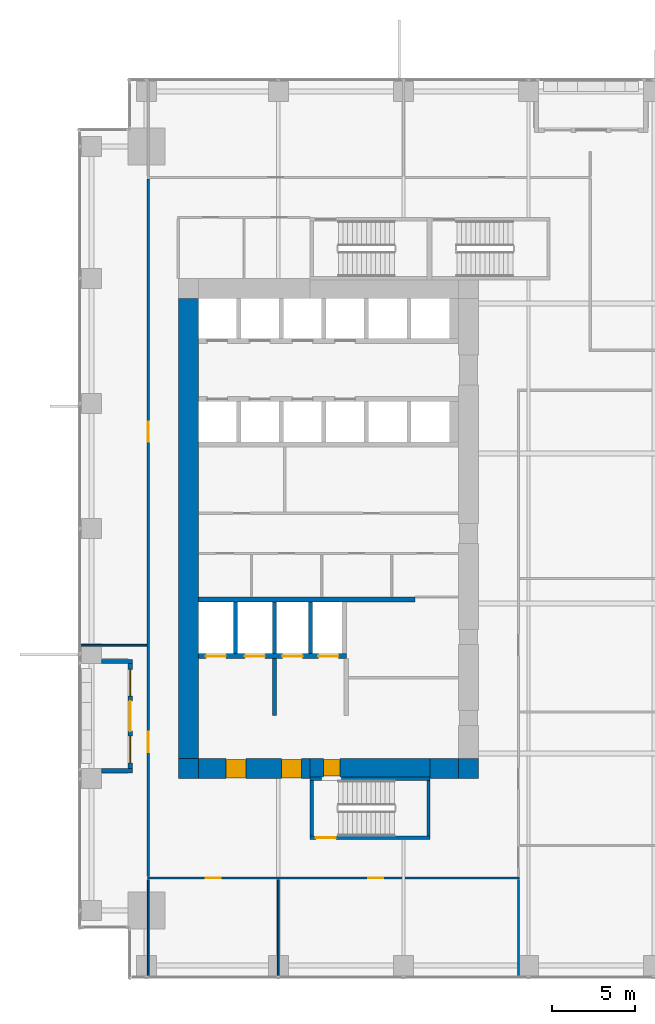
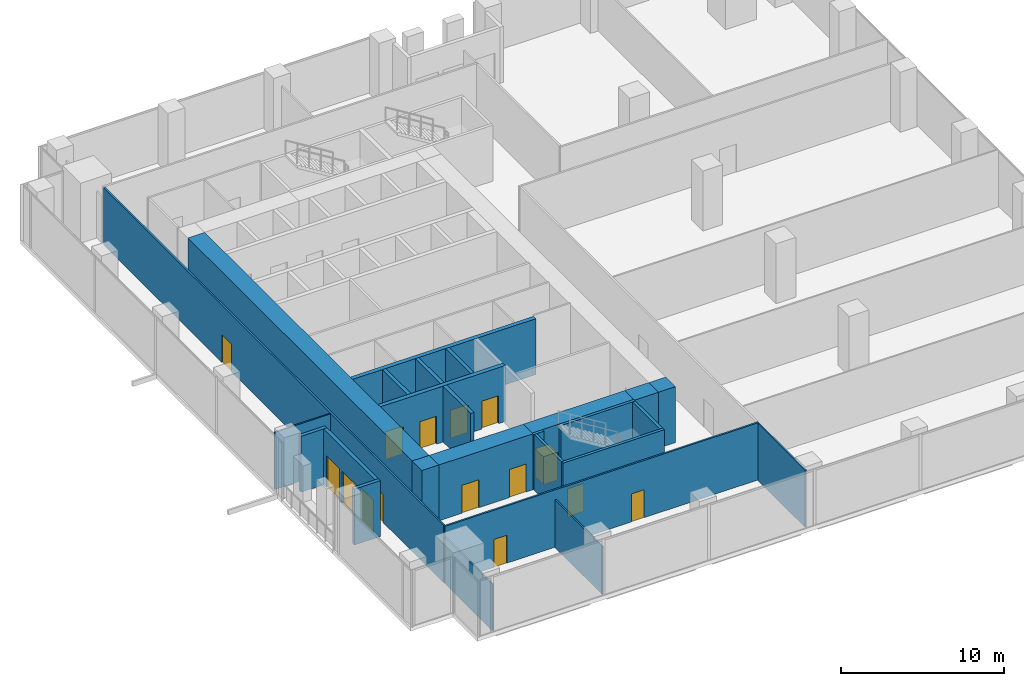
# One storey, part 27 of 33: 26 walls, 13 doors, 2 windows, 15 openings.
"""IFC4 building model written with IfcOpenShell, lengths in metres."""

from ifc_helpers import new_model, si_unit, direction, frame, frame_2d, origin, place, context, subcontext, project, spatial, rectangle, extrude, source, transform, mapped, material, layer, layer_set, type_object, element, fill, save


model = new_model("IFC4")

# Units and contexts
model_context = context("Model", 3, precision=1e-05, world=origin(), true_north=direction((0.0, 1.0)))
body_context = subcontext(model_context, "Body", "Model", "MODEL_VIEW")
ifc_project = project(units=[si_unit("LENGTHUNIT", "METRE"), si_unit("AREAUNIT", "SQUARE_METRE"), si_unit("VOLUMEUNIT", "CUBIC_METRE"), si_unit("PLANEANGLEUNIT", "RADIAN"), si_unit("MASSUNIT", "GRAM", prefix="KILO")], contexts=[model_context])

# Site, building, storey
site_placement = place(None, origin())
site = spatial("IfcSite", under=ifc_project, at=site_placement, CompositionType="ELEMENT")
building_placement = place(site_placement, origin())
building = spatial("IfcBuilding", under=site, at=building_placement, Name="Khomas Fold Tower", CompositionType="ELEMENT")
storey_placement = place(building_placement, frame((0.0, 0.0, 91.5)))
storey = spatial("IfcBuildingStorey", under=building, at=storey_placement, Name="L19", CompositionType="ELEMENT", Elevation=91.5)

# Wall, openings, doors
ifc_material_1 = material(Name="Concrete C70/85", Category="concrete")
ifc_layer_1 = layer(ifc_material_1, 1.199951171875)
ifc_layer_set_1 = layer_set([ifc_layer_1], Name="Concrete C70/85")
wall_type_1 = type_object("IfcWallType", Name="Core wall 1200", PredefinedType="SHEAR", material=ifc_layer_set_1)
shared_shape_1 = source(origin(), body_context, "Body", "SweptSolid", [
    extrude(rectangle(XDim=6.699951171875, YDim=1.199951171875, at=frame_2d((3.35009765625, 0.0))), origin(), (0.0, 0.0, 1.0), 4.199951171875),
])
wall_1_placement = place(storey_placement, frame((7.199951171875, 12.60009765625, 0.0), z_axis=(0.0, 0.0, 1.0), x_axis=(1.0, 0.0, 0.0)))
wall_1 = element("IfcWall", 1, at=wall_1_placement, inside=storey, type_object=wall_type_1, Name="Core wall CW-L-S-B2", PredefinedType="SHEAR", context=body_context, shape_type="MappedRepresentation", body=[
    mapped(shared_shape_1, transform((0.0, 0.0, 0.0))),
])
shared_shape_2 = source(origin(), body_context, "Body", "SweptSolid", [
    extrude(rectangle(XDim=1.199951171875, YDim=2.10009765625, at=frame_2d((0.60009765625, 1.050048828125))), frame((0.0, 0.60986328125, 0.0), z_axis=(0.0, -1.0, 0.0), x_axis=(1.0, 0.0, 0.0)), (0.0, 0.0, 1.0), 1.219970703125),
])
opening_1_placement = place(wall_1_placement, frame((5.0, 0.0, 0.0)))
opening_1 = element("IfcOpeningElement", 2, at=opening_1_placement, cuts=wall_1, Name="Opening 0009", PredefinedType="OPENING", context=body_context, shape_type="MappedRepresentation", body=[
    mapped(shared_shape_2, transform((0.0, 0.0, 0.0))),
])
opening_2_placement = place(wall_1_placement, frame((1.64990234375, 0.0, 0.0)))
opening_2 = element("IfcOpeningElement", 3, at=opening_2_placement, cuts=wall_1, Name="Opening 0009", PredefinedType="OPENING", context=body_context, shape_type="MappedRepresentation", body=[
    mapped(shared_shape_2, transform((0.0, 0.0, 0.0))),
])
ifc_material_2 = material(Name="Steel door leaf", Category="steel")
door_type_1 = type_object("IfcDoorType", Name="Lobby door 1200x2100 right-hand", OperationType="SINGLE_SWING_RIGHT", PredefinedType="DOOR", material=ifc_material_2)
shared_shape_3 = source(origin(), body_context, "Body", "SweptSolid", [
    extrude(rectangle(XDim=1.199951171875, YDim=2.10009765625, at=frame_2d((0.60009765625, 1.050048828125))), frame((0.0, 0.5498046875, 0.0), z_axis=(0.0, -1.0, 0.0), x_axis=(1.0, 0.0, 0.0)), (0.0, 0.0, 1.0), 1.099853515625),
])
door_1_placement = place(opening_1_placement, origin())
door_1 = element("IfcDoor", 4, at=door_1_placement, inside=storey, type_object=door_type_1, Name="Lobby door", OperationType="SINGLE_SWING_RIGHT", OverallHeight=2.10009765625, OverallWidth=1.199951171875, PredefinedType="DOOR", context=body_context, shape_type="MappedRepresentation", body=[
    mapped(shared_shape_3, transform((0.0, 0.0, 0.0))),
])
fill(opening_1, door_1)
door_2_placement = place(opening_2_placement, origin())
door_2 = element("IfcDoor", 5, at=door_2_placement, inside=storey, type_object=door_type_1, Name="Lobby door", OperationType="SINGLE_SWING_RIGHT", OverallHeight=2.10009765625, OverallWidth=1.199951171875, PredefinedType="DOOR", context=body_context, shape_type="MappedRepresentation", body=[
    mapped(shared_shape_3, transform((0.0, 0.0, 0.0))),
])
fill(opening_2, door_2)

# Walls
ifc_material_3 = material(Name="Concrete C70/85", Category="concrete")
ifc_layer_2 = layer(ifc_material_3, 1.199951171875)
ifc_layer_set_2 = layer_set([ifc_layer_2], Name="Concrete C70/85")
wall_type_2 = type_object("IfcWallType", Name="Core corner wall 1200", PredefinedType="SHEAR", material=ifc_layer_set_2)
shared_shape_4 = source(origin(), body_context, "Body", "SweptSolid", [
    extrude(rectangle(XDim=1.199951171875, YDim=1.199951171875, at=frame_2d((0.60009765625, 0.0))), origin(), (0.0, 0.0, 1.0), 4.199951171875),
])
for number, where, z_axis, x_axis, name in (
    (6, (22.800048828125, 12.60009765625, 0.0), (0.0, 0.0, 1.0), (1.0, 0.0, 0.0), "Core wall CW-L-SE-B2"),
    (7, (6.0, 12.60009765625, 0.0), (0.0, 0.0, 1.0), (1.0, 0.0, 0.0), "Core wall CW-L-SW-B2"),
):
    element("IfcWall", number, at=place(storey_placement, frame(where, z_axis=z_axis, x_axis=x_axis)), inside=storey, type_object=wall_type_2, Name=name, PredefinedType="SHEAR", context=body_context, shape_type="MappedRepresentation", body=[
        mapped(shared_shape_4, transform((0.0, 0.0, 0.0))),
    ])

# Wall, opening, door
ifc_material_4 = material(Name="Concrete C70/85", Category="concrete")
ifc_layer_3 = layer(ifc_material_4, 1.10009765625)
ifc_layer_set_3 = layer_set([ifc_layer_3], Name="Concrete C70/85")
wall_type_3 = type_object("IfcWallType", Name="Core wall 1100", PredefinedType="SHEAR", material=ifc_layer_set_3)
shared_shape_5 = source(origin(), body_context, "Body", "SweptSolid", [
    extrude(rectangle(XDim=7.2001953125, YDim=1.10009765625, at=frame_2d((3.60009765625, 0.0))), origin(), (0.0, 0.0, 1.0), 4.199951171875),
])
wall_2_placement = place(storey_placement, frame((13.89990234375, 12.64990234375, 0.0), z_axis=(0.0, 0.0, 1.0), x_axis=(1.0, 0.0, 0.0)))
wall_2 = element("IfcWall", 8, at=wall_2_placement, inside=storey, type_object=wall_type_3, Name="Core wall CW-L-S-B2-1", PredefinedType="SHEAR", context=body_context, shape_type="MappedRepresentation", body=[
    mapped(shared_shape_5, transform((0.0, 0.0, 0.0))),
])
shared_shape_6 = source(origin(), body_context, "Body", "SweptSolid", [
    extrude(rectangle(XDim=1.0, YDim=2.10009765625, at=frame_2d((0.5, 1.050048828125))), frame((0.0, 0.56005859375, 0.0), z_axis=(0.0, -1.0, 0.0), x_axis=(1.0, 0.0, 0.0)), (0.0, 0.0, 1.0), 1.1201171875),
])
opening_3_placement = place(wall_2_placement, frame((0.800048828125, 0.0, 0.0)))
opening_3 = element("IfcOpeningElement", 9, at=opening_3_placement, cuts=wall_2, Name="Opening 0010", PredefinedType="OPENING", context=body_context, shape_type="MappedRepresentation", body=[
    mapped(shared_shape_6, transform((0.0, 0.0, 0.0))),
])
ifc_material_5 = material(Name="Steel door leaf", Category="steel")
door_type_2 = type_object("IfcDoorType", Name="Stair door 1000x2100 right-hand", OperationType="SINGLE_SWING_RIGHT", PredefinedType="DOOR", material=ifc_material_5)
shared_shape_7 = source(origin(), body_context, "Body", "SweptSolid", [
    extrude(rectangle(XDim=1.0, YDim=2.10009765625, at=frame_2d((0.5, 1.050048828125))), frame((0.0, 0.5, 0.0), z_axis=(0.0, -1.0, 0.0), x_axis=(1.0, 0.0, 0.0)), (0.0, 0.0, 1.0), 1.0),
])
door_3_placement = place(opening_3_placement, origin())
door_3 = element("IfcDoor", 10, at=door_3_placement, inside=storey, type_object=door_type_2, Name="Stair door", OperationType="SINGLE_SWING_RIGHT", OverallHeight=2.10009765625, OverallWidth=1.0, PredefinedType="DOOR", context=body_context, shape_type="MappedRepresentation", body=[
    mapped(shared_shape_7, transform((0.0, 0.0, 0.0))),
])
fill(opening_3, door_3)

# Walls
shared_shape_8 = source(origin(), body_context, "Body", "SweptSolid", [
    extrude(rectangle(XDim=1.699951171875, YDim=1.199951171875, at=frame_2d((0.85009765625, 0.0))), origin(), (0.0, 0.0, 1.0), 4.199951171875),
])
wall_3_placement = place(storey_placement, frame((21.10009765625, 12.60009765625, 0.0), z_axis=(0.0, 0.0, 1.0), x_axis=(1.0, 0.0, 0.0)))
element("IfcWall", 11, at=wall_3_placement, inside=storey, type_object=wall_type_1, Name="Core wall CW-L-S-B2-2", PredefinedType="SHEAR", context=body_context, shape_type="MappedRepresentation", body=[
    mapped(shared_shape_8, transform((0.0, 0.0, 0.0))),
])
shared_shape_9 = source(origin(), body_context, "Body", "SweptSolid", [
    extrude(rectangle(XDim=27.60009765625, YDim=1.199951171875, at=frame_2d((13.800048828125, 0.0))), origin(), (0.0, 0.0, 1.0), 4.199951171875),
])
wall_4_placement = place(storey_placement, frame((6.60009765625, 13.199951171875, 0.0), z_axis=(0.0, 0.0, 1.0), x_axis=(0.0, 1.0, 0.0)))
element("IfcWall", 12, at=wall_4_placement, inside=storey, type_object=wall_type_1, Name="Core wall CW-L-W-B2", PredefinedType="SHEAR", context=body_context, shape_type="MappedRepresentation", body=[
    mapped(shared_shape_9, transform((0.0, 0.0, 0.0))),
])
ifc_material_6 = material(Name="Concrete C50/60", Category="concrete")
ifc_layer_4 = layer(ifc_material_6, 0.199951171875)
ifc_layer_set_4 = layer_set([ifc_layer_4], Name="Concrete C50/60")
wall_type_4 = type_object("IfcWallType", Name="Stair wall 200", PredefinedType="SHEAR", material=ifc_layer_set_4)
shared_shape_10 = source(origin(), body_context, "Body", "SweptSolid", [
    extrude(rectangle(XDim=0.7001953125, YDim=0.199951171875, at=frame_2d((0.35009765625, 0.0))), origin(), (0.0, 0.0, 1.0), 4.199951171875),
])
wall_5_placement = place(storey_placement, frame((13.89990234375, 12.0, 0.0), z_axis=(0.0, 0.0, 1.0), x_axis=(1.0, 0.0, 0.0)))
element("IfcWall", 13, at=wall_5_placement, inside=storey, type_object=wall_type_4, Name="Stair wall SW-ST2-N", PredefinedType="SHEAR", context=body_context, shape_type="MappedRepresentation", body=[
    mapped(shared_shape_10, transform((0.0, 0.0, 0.0))),
])
shared_shape_11 = source(origin(), body_context, "Body", "SweptSolid", [
    extrude(rectangle(XDim=5.300048828125, YDim=0.199951171875, at=frame_2d((2.64990234375, 0.0))), origin(), (0.0, 0.0, 1.0), 4.199951171875),
])
wall_6_placement = place(storey_placement, frame((15.800048828125, 12.0, 0.0), z_axis=(0.0, 0.0, 1.0), x_axis=(1.0, 0.0, 0.0)))
element("IfcWall", 14, at=wall_6_placement, inside=storey, type_object=wall_type_4, Name="Stair wall SW-ST2-NB", PredefinedType="SHEAR", context=body_context, shape_type="MappedRepresentation", body=[
    mapped(shared_shape_11, transform((0.0, 0.0, 0.0))),
])

# Wall, opening, door
shared_shape_12 = source(origin(), body_context, "Body", "SweptSolid", [
    extrude(rectangle(XDim=7.2001953125, YDim=0.199951171875, at=frame_2d((3.60009765625, 0.0))), origin(), (0.0, 0.0, 1.0), 4.199951171875),
])
wall_7_placement = place(storey_placement, frame((13.89990234375, 8.449951171875, 0.0), z_axis=(0.0, 0.0, 1.0), x_axis=(1.0, 0.0, 0.0)))
wall_7 = element("IfcWall", 15, at=wall_7_placement, inside=storey, type_object=wall_type_4, Name="Stair wall SW-ST2-S", PredefinedType="SHEAR", context=body_context, shape_type="MappedRepresentation", body=[
    mapped(shared_shape_12, transform((0.0, 0.0, 0.0))),
])
shared_shape_13 = source(origin(), body_context, "Body", "SweptSolid", [
    extrude(rectangle(XDim=1.199951171875, YDim=2.10009765625, at=frame_2d((0.60009765625, 1.050048828125))), frame((0.0, 0.10986328125, 0.0), z_axis=(0.0, -1.0, 0.0), x_axis=(1.0, 0.0, 0.0)), (0.0, 0.0, 1.0), 0.219970703125),
])
opening_4_placement = place(wall_7_placement, frame((0.35009765625, 0.0, 0.0)))
opening_4 = element("IfcOpeningElement", 16, at=opening_4_placement, cuts=wall_7, Name="Opening SD-ST2", PredefinedType="OPENING", context=body_context, shape_type="MappedRepresentation", body=[
    mapped(shared_shape_13, transform((0.0, 0.0, 0.0))),
])
ifc_material_7 = material(Name="Steel door leaf", Category="steel")
door_type_3 = type_object("IfcDoorType", Name="Stair door 1200x2100 right-hand", OperationType="SINGLE_SWING_RIGHT", PredefinedType="DOOR", material=ifc_material_7)
shared_shape_14 = source(origin(), body_context, "Body", "SweptSolid", [
    extrude(rectangle(XDim=1.199951171875, YDim=2.10009765625, at=frame_2d((0.60009765625, 1.050048828125))), frame((0.0, 0.02490234375, 0.0), z_axis=(0.0, -1.0, 0.0), x_axis=(1.0, 0.0, 0.0)), (0.0, 0.0, 1.0), 0.050048828125),
])
door_4_placement = place(opening_4_placement, origin())
door_4 = element("IfcDoor", 17, at=door_4_placement, inside=storey, type_object=door_type_3, Name="Stair door", OperationType="SINGLE_SWING_RIGHT", OverallHeight=2.10009765625, OverallWidth=1.199951171875, PredefinedType="DOOR", context=body_context, shape_type="MappedRepresentation", body=[
    mapped(shared_shape_14, transform((0.0, 0.0, 0.0))),
])
fill(opening_4, door_4)

# Walls
shared_shape_15 = source(origin(), body_context, "Body", "SweptSolid", [
    extrude(rectangle(XDim=3.349853515625, YDim=0.199951171875, at=frame_2d((1.6748046875, 0.0))), origin(), (0.0, 0.0, 1.0), 4.199951171875),
])
for number, where, z_axis, x_axis, name in (
    (18, (21.0, 8.550048828125, 0.0), (0.0, 0.0, 1.0), (0.0, 1.0, 0.0), "Stair wall SW-ST2-E"),
    (19, (14.0, 8.550048828125, 0.0), (0.0, 0.0, 1.0), (0.0, 1.0, 0.0), "Stair wall SW-ST2-W"),
):
    element("IfcWall", number, at=place(storey_placement, frame(where, z_axis=z_axis, x_axis=x_axis)), inside=storey, type_object=wall_type_4, Name=name, PredefinedType="SHEAR", context=body_context, shape_type="MappedRepresentation", body=[
        mapped(shared_shape_15, transform((0.0, 0.0, 0.0))),
    ])
ifc_material_8 = material(Name="Concrete C50/60", Category="concrete")
ifc_layer_5 = layer(ifc_material_8, 0.300048828125)
ifc_layer_set_5 = layer_set([ifc_layer_5], Name="Concrete C50/60")
wall_type_5 = type_object("IfcWallType", Name="Shaft wall 300", PredefinedType="STANDARD", material=ifc_layer_set_5)
shared_shape_16 = source(origin(), body_context, "Body", "SweptSolid", [
    extrude(rectangle(XDim=13.0, YDim=0.300048828125, at=frame_2d((6.5, 0.0))), origin(), (0.0, 0.0, 1.0), 4.199951171875),
])
wall_8_placement = place(storey_placement, frame((7.199951171875, 22.75, 0.0), z_axis=(0.0, 0.0, 1.0), x_axis=(1.0, 0.0, 0.0)))
element("IfcWall", 20, at=wall_8_placement, inside=storey, type_object=wall_type_5, Name="Core wall SW-FS-B", PredefinedType="STANDARD", context=body_context, shape_type="MappedRepresentation", body=[
    mapped(shared_shape_16, transform((0.0, 0.0, 0.0))),
])

# Wall, openings, doors
shared_shape_17 = source(origin(), body_context, "Body", "SweptSolid", [
    extrude(rectangle(XDim=8.875, YDim=0.300048828125, at=frame_2d((4.4375, 0.0))), origin(), (0.0, 0.0, 1.0), 4.199951171875),
])
wall_9_placement = place(storey_placement, frame((7.199951171875, 19.35009765625, 0.0), z_axis=(0.0, 0.0, 1.0), x_axis=(1.0, 0.0, 0.0)))
wall_9 = element("IfcWall", 21, at=wall_9_placement, inside=storey, type_object=wall_type_5, Name="Core wall SW-FS-F", PredefinedType="STANDARD", context=body_context, shape_type="MappedRepresentation", body=[
    mapped(shared_shape_17, transform((0.0, 0.0, 0.0))),
])
shared_shape_18 = source(origin(), body_context, "Body", "SweptSolid", [
    extrude(rectangle(XDim=1.199951171875, YDim=2.10009765625, at=frame_2d((0.60009765625, 1.050048828125))), frame((0.0, 0.159912109375, 0.0), z_axis=(0.0, -1.0, 0.0), x_axis=(1.0, 0.0, 0.0)), (0.0, 0.0, 1.0), 0.320068359375),
])
opening_5_placement = place(wall_9_placement, frame((0.449951171875, 0.0, 0.0)))
opening_5 = element("IfcOpeningElement", 22, at=opening_5_placement, cuts=wall_9, Name="Opening LD-SV1", PredefinedType="OPENING", context=body_context, shape_type="MappedRepresentation", body=[
    mapped(shared_shape_18, transform((0.0, 0.0, 0.0))),
])
opening_6_placement = place(wall_9_placement, frame((2.800048828125, 0.0, 0.0)))
opening_6 = element("IfcOpeningElement", 23, at=opening_6_placement, cuts=wall_9, Name="Opening LD-SV2", PredefinedType="OPENING", context=body_context, shape_type="MappedRepresentation", body=[
    mapped(shared_shape_18, transform((0.0, 0.0, 0.0))),
])
opening_7_placement = place(wall_9_placement, frame((5.050048828125, 0.0, 0.0)))
opening_7 = element("IfcOpeningElement", 24, at=opening_7_placement, cuts=wall_9, Name="Opening LD-FF1", PredefinedType="OPENING", context=body_context, shape_type="MappedRepresentation", body=[
    mapped(shared_shape_18, transform((0.0, 0.0, 0.0))),
])
opening_8_placement = place(wall_9_placement, frame((7.199951171875, 0.0, 0.0)))
opening_8 = element("IfcOpeningElement", 25, at=opening_8_placement, cuts=wall_9, Name="Opening LD-FF2", PredefinedType="OPENING", context=body_context, shape_type="MappedRepresentation", body=[
    mapped(shared_shape_18, transform((0.0, 0.0, 0.0))),
])
ifc_material_9 = material(Name="Steel door leaf", Category="steel")
door_type_4 = type_object("IfcDoorType", Name="Landing door 1200x2100", OperationType="DOUBLE_DOOR_SLIDING", PredefinedType="DOOR", material=ifc_material_9)
door_5_placement = place(opening_5_placement, origin())
door_5 = element("IfcDoor", 26, at=door_5_placement, inside=storey, type_object=door_type_4, Name="Lift landing door", OperationType="DOUBLE_DOOR_SLIDING", OverallHeight=2.10009765625, OverallWidth=1.199951171875, PredefinedType="DOOR", context=body_context, shape_type="MappedRepresentation", body=[
    mapped(shared_shape_14, transform((0.0, 0.0, 0.0))),
])
fill(opening_5, door_5)
door_6_placement = place(opening_6_placement, origin())
door_6 = element("IfcDoor", 27, at=door_6_placement, inside=storey, type_object=door_type_4, Name="Lift landing door", OperationType="DOUBLE_DOOR_SLIDING", OverallHeight=2.10009765625, OverallWidth=1.199951171875, PredefinedType="DOOR", context=body_context, shape_type="MappedRepresentation", body=[
    mapped(shared_shape_14, transform((0.0, 0.0, 0.0))),
])
fill(opening_6, door_6)
door_7_placement = place(opening_7_placement, origin())
door_7 = element("IfcDoor", 28, at=door_7_placement, inside=storey, type_object=door_type_4, Name="Lift landing door", OperationType="DOUBLE_DOOR_SLIDING", OverallHeight=2.10009765625, OverallWidth=1.199951171875, PredefinedType="DOOR", context=body_context, shape_type="MappedRepresentation", body=[
    mapped(shared_shape_14, transform((0.0, 0.0, 0.0))),
])
fill(opening_7, door_7)
door_8_placement = place(opening_8_placement, origin())
door_8 = element("IfcDoor", 29, at=door_8_placement, inside=storey, type_object=door_type_4, Name="Lift landing door", OperationType="DOUBLE_DOOR_SLIDING", OverallHeight=2.10009765625, OverallWidth=1.199951171875, PredefinedType="DOOR", context=body_context, shape_type="MappedRepresentation", body=[
    mapped(shared_shape_14, transform((0.0, 0.0, 0.0))),
])
fill(opening_8, door_8)

# Walls
ifc_material_10 = material(Name="Concrete C50/60", Category="concrete")
ifc_layer_6 = layer(ifc_material_10, 0.25)
ifc_layer_set_6 = layer_set([ifc_layer_6], Name="Concrete C50/60")
wall_type_6 = type_object("IfcWallType", Name="Shaft wall 250", PredefinedType="STANDARD", material=ifc_layer_set_6)
shared_shape_19 = source(origin(), body_context, "Body", "SweptSolid", [
    extrude(rectangle(XDim=3.10009765625, YDim=0.25, at=frame_2d((1.550048828125, 0.0))), origin(), (0.0, 0.0, 1.0), 4.199951171875),
])
for number, where, z_axis, x_axis, name in (
    (30, (9.425048828125, 19.5, 0.0), (0.0, 0.0, 1.0), (0.0, 1.0, 0.0), "Core wall SW-FS-P1"),
    (31, (11.77490234375, 19.5, 0.0), (0.0, 0.0, 1.0), (0.0, 1.0, 0.0), "Core wall SW-FS-P2"),
    (32, (13.925048828125, 19.5, 0.0), (0.0, 0.0, 1.0), (0.0, 1.0, 0.0), "Core wall SW-FS-P3"),
):
    element("IfcWall", number, at=place(storey_placement, frame(where, z_axis=z_axis, x_axis=x_axis)), inside=storey, type_object=wall_type_6, Name=name, PredefinedType="STANDARD", context=body_context, shape_type="MappedRepresentation", body=[
        mapped(shared_shape_19, transform((0.0, 0.0, 0.0))),
    ])
ifc_material_11 = material(Name="Concrete C50/60", Category="concrete")
ifc_layer_7 = layer(ifc_material_11, 0.25)
ifc_layer_set_7 = layer_set([ifc_layer_7], Name="Concrete C50/60")
wall_type_7 = type_object("IfcWallType", Name="Lobby wall 250", PredefinedType="STANDARD", material=ifc_layer_set_7)
shared_shape_20 = source(origin(), body_context, "Body", "SweptSolid", [
    extrude(rectangle(XDim=3.39990234375, YDim=0.25, at=frame_2d((1.699951171875, 0.0))), origin(), (0.0, 0.0, 1.0), 4.199951171875),
])
wall_10_placement = place(storey_placement, frame((11.77490234375, 15.800048828125, 0.0), z_axis=(0.0, 0.0, 1.0), x_axis=(0.0, 1.0, 0.0)))
element("IfcWall", 33, at=wall_10_placement, inside=storey, type_object=wall_type_7, Name="Core wall SW-FS-SEP", PredefinedType="STANDARD", context=body_context, shape_type="MappedRepresentation", body=[
    mapped(shared_shape_20, transform((0.0, 0.0, 0.0))),
])

# Wall, openings, windows, door
ifc_material_12 = material(Name="Natural stone", Category="masonry")
ifc_layer_8 = layer(ifc_material_12, 0.0400390625)
ifc_material_13 = material(Name="Mineral wool insulation", Category="insulation")
ifc_layer_9 = layer(ifc_material_13, 0.10009765625)
ifc_material_14 = material(Name="Masonry", Category="masonry")
ifc_layer_10 = layer(ifc_material_14, 0.110107421875)
ifc_layer_set_8 = layer_set([ifc_layer_8, ifc_layer_9, ifc_layer_10], Name="Stone-faced insulated masonry")
wall_type_8 = type_object("IfcWallType", Name="BL-Balcony wall", PredefinedType="SOLIDWALL", material=ifc_layer_set_8)
shared_shape_21 = source(origin(), body_context, "Body", "SweptSolid", [
    extrude(rectangle(XDim=6.2998046875, YDim=0.25, at=frame_2d((3.14990234375, 0.0))), origin(), (0.0, 0.0, 1.0), 4.199951171875),
])
wall_11_placement = place(storey_placement, frame((3.125, 12.60009765625, 0.0), z_axis=(0.0, 0.0, 1.0), x_axis=(0.0, 1.0, 0.0)))
wall_11 = element("IfcWall", 34, at=wall_11_placement, inside=storey, type_object=wall_type_8, Name="Balcony wall BAL-L19-W1", PredefinedType="SOLIDWALL", context=body_context, shape_type="MappedRepresentation", body=[
    mapped(shared_shape_21, transform((0.0, 0.0, 0.0))),
])
shared_shape_22 = source(origin(), body_context, "Body", "SweptSolid", [
    extrude(rectangle(XDim=1.60009765625, YDim=2.39990234375, at=frame_2d((0.800048828125, 1.199951171875))), frame((0.0, 0.135009765625, 0.0), z_axis=(0.0, -1.0, 0.0), x_axis=(1.0, 0.0, 0.0)), (0.0, 0.0, 1.0), 0.27001953125),
])
opening_9_placement = place(wall_11_placement, frame((0.35009765625, 0.0, 0.0)))
opening_9 = element("IfcOpeningElement", 35, at=opening_9_placement, cuts=wall_11, Name="Opening BL-W1", PredefinedType="OPENING", context=body_context, shape_type="MappedRepresentation", body=[
    mapped(shared_shape_22, transform((0.0, 0.0, 0.0))),
])
opening_10_placement = place(wall_11_placement, frame((4.35009765625, 0.0, 0.0)))
opening_10 = element("IfcOpeningElement", 36, at=opening_10_placement, cuts=wall_11, Name="Opening BL-W1", PredefinedType="OPENING", context=body_context, shape_type="MappedRepresentation", body=[
    mapped(shared_shape_22, transform((0.0, 0.0, 0.0))),
])
shared_shape_23 = source(origin(), body_context, "Body", "SweptSolid", [
    extrude(rectangle(XDim=1.800048828125, YDim=2.39990234375, at=frame_2d((0.89990234375, 1.199951171875))), frame((0.0, 0.135009765625, 0.0), z_axis=(0.0, -1.0, 0.0), x_axis=(1.0, 0.0, 0.0)), (0.0, 0.0, 1.0), 0.27001953125),
])
opening_11_placement = place(wall_11_placement, frame((2.25, 0.0, 0.0)))
opening_11 = element("IfcOpeningElement", 37, at=opening_11_placement, cuts=wall_11, Name="Opening BD191", PredefinedType="OPENING", context=body_context, shape_type="MappedRepresentation", body=[
    mapped(shared_shape_23, transform((0.0, 0.0, 0.0))),
])
ifc_material_15 = material(Name="Aluminium framed double glazing", Category="aluminium")
window_type = type_object("IfcWindowType", Name="BL-Fixed glazing 1600 x 2400", PartitioningType="SINGLE_PANEL", PredefinedType="WINDOW", material=ifc_material_15)
shared_shape_24 = source(origin(), body_context, "Body", "SweptSolid", [
    extrude(rectangle(XDim=1.60009765625, YDim=2.39990234375, at=frame_2d((0.800048828125, 1.199951171875))), frame((0.0, 0.030029296875, 0.0), z_axis=(0.0, -1.0, 0.0), x_axis=(1.0, 0.0, 0.0)), (0.0, 0.0, 1.0), 0.06005859375),
])
window_1_placement = place(opening_9_placement, origin())
window_1 = element("IfcWindow", 38, at=window_1_placement, inside=storey, type_object=window_type, Name="Balcony glazing BAL-L19-W1-1", OverallHeight=2.39990234375, OverallWidth=1.60009765625, PartitioningType="SINGLE_PANEL", PredefinedType="WINDOW", context=body_context, shape_type="MappedRepresentation", body=[
    mapped(shared_shape_24, transform((0.0, 0.0, 0.0))),
])
fill(opening_9, window_1)
window_2_placement = place(opening_10_placement, origin())
window_2 = element("IfcWindow", 39, at=window_2_placement, inside=storey, type_object=window_type, Name="Balcony glazing BAL-L19-W1-2", OverallHeight=2.39990234375, OverallWidth=1.60009765625, PartitioningType="SINGLE_PANEL", PredefinedType="WINDOW", context=body_context, shape_type="MappedRepresentation", body=[
    mapped(shared_shape_24, transform((0.0, 0.0, 0.0))),
])
fill(opening_10, window_2)
ifc_material_16 = material(Name="Aluminium framed double glazing", Category="aluminium")
door_type_5 = type_object("IfcDoorType", Name="BL-Glazed balcony door 1800 x 2400", OperationType="DOUBLE_DOOR_DOUBLE_SWING", PredefinedType="DOOR", material=ifc_material_16)
shared_shape_25 = source(origin(), body_context, "Body", "SweptSolid", [
    extrude(rectangle(XDim=1.800048828125, YDim=2.39990234375, at=frame_2d((0.89990234375, 1.199951171875))), frame((0.0, 0.02490234375, 0.0), z_axis=(0.0, -1.0, 0.0), x_axis=(1.0, 0.0, 0.0)), (0.0, 0.0, 1.0), 0.050048828125),
])
door_9_placement = place(opening_11_placement, origin())
door_9 = element("IfcDoor", 40, at=door_9_placement, inside=storey, type_object=door_type_5, Name="Balcony door BD191", OperationType="DOUBLE_DOOR_DOUBLE_SWING", OverallHeight=2.39990234375, OverallWidth=1.800048828125, PredefinedType="DOOR", context=body_context, shape_type="MappedRepresentation", body=[
    mapped(shared_shape_25, transform((0.0, 0.0, 0.0))),
])
fill(opening_11, door_9)

# Walls
shared_shape_26 = source(origin(), body_context, "Body", "SweptSolid", [
    extrude(rectangle(XDim=1.85009765625, YDim=0.25, at=frame_2d((0.925048828125, 0.0))), origin(), (0.0, 0.0, 1.0), 4.199951171875),
])
for number, where, z_axis, x_axis, name in (
    (41, (1.39990234375, 12.47509765625, 0.0), (0.0, 0.0, 1.0), (1.0, 0.0, 0.0), "Balcony return wall BAL-L19-W1-lo"),
    (42, (1.39990234375, 19.02490234375, 0.0), (0.0, 0.0, 1.0), (1.0, 0.0, 0.0), "Balcony return wall BAL-L19-W1-hi"),
):
    element("IfcWall", number, at=place(storey_placement, frame(where, z_axis=z_axis, x_axis=x_axis)), inside=storey, type_object=wall_type_8, Name=name, PredefinedType="SOLIDWALL", context=body_context, shape_type="MappedRepresentation", body=[
        mapped(shared_shape_26, transform((0.0, 0.0, 0.0))),
    ])
ifc_material_17 = material(Name="Plasterboard partition")
ifc_layer_11 = layer(ifc_material_17, 0.10009765625)
ifc_layer_set_9 = layer_set([ifc_layer_11], Name="Plasterboard partition")
wall_type_9 = type_object("IfcWallType", Name="Partition PW1 100", PredefinedType="PARTITIONING", material=ifc_layer_set_9)
shared_shape_27 = source(origin(), body_context, "Body", "SweptSolid", [
    extrude(rectangle(XDim=5.800048828125, YDim=0.10009765625, at=frame_2d((2.89990234375, 0.0))), origin(), (0.0, 0.0, 1.0), 3.60009765625),
])
wall_12_placement = place(storey_placement, frame((12.0, 0.14990234375, 0.0), z_axis=(0.0, 0.0, 1.0), x_axis=(0.0, 1.0, 0.0)))
element("IfcWall", 43, at=wall_12_placement, inside=storey, type_object=wall_type_9, Name="Partition", PredefinedType="PARTITIONING", context=body_context, shape_type="MappedRepresentation", body=[
    mapped(shared_shape_27, transform((0.0, 0.0, 0.0))),
])
shared_shape_28 = source(origin(), body_context, "Body", "SweptSolid", [
    extrude(rectangle(XDim=3.9501953125, YDim=0.10009765625, at=frame_2d((1.97509765625, 0.0))), origin(), (0.0, 0.0, 1.0), 4.300048828125),
])
wall_13_placement = place(storey_placement, frame((0.14990234375, 20.0, 0.0), z_axis=(0.0, 0.0, 1.0), x_axis=(1.0, 0.0, 0.0)))
element("IfcWall", 44, at=wall_13_placement, inside=storey, type_object=wall_type_9, Name="Partition", PredefinedType="PARTITIONING", context=body_context, shape_type="MappedRepresentation", body=[
    mapped(shared_shape_28, transform((0.0, 0.0, 0.0))),
])
shared_shape_29 = source(origin(), body_context, "Body", "SweptSolid", [
    extrude(rectangle(XDim=5.800048828125, YDim=0.10009765625, at=frame_2d((2.89990234375, 0.0))), origin(), (0.0, 0.0, 1.0), 4.300048828125),
])
wall_14_placement = place(storey_placement, frame((26.39990234375, 0.14990234375, 0.0), z_axis=(0.0, 0.0, 1.0), x_axis=(0.0, 1.0, 0.0)))
element("IfcWall", 45, at=wall_14_placement, inside=storey, type_object=wall_type_9, Name="Partition", PredefinedType="PARTITIONING", context=body_context, shape_type="MappedRepresentation", body=[
    mapped(shared_shape_29, transform((0.0, 0.0, 0.0))),
])

# Wall, openings, doors
ifc_material_18 = material(Name="Plasterboard partition")
ifc_layer_12 = layer(ifc_material_18, 0.125)
ifc_layer_set_10 = layer_set([ifc_layer_12], Name="Plasterboard partition")
wall_type_10 = type_object("IfcWallType", Name="Partition PW2 125", PredefinedType="PARTITIONING", material=ifc_layer_set_10)
shared_shape_30 = source(origin(), body_context, "Body", "SweptSolid", [
    extrude(rectangle(XDim=22.300048828125, YDim=0.125, at=frame_2d((11.14990234375, 0.0))), origin(), (0.0, 0.0, 1.0), 4.300048828125),
])
wall_15_placement = place(storey_placement, frame((4.14990234375, 6.050048828125, 0.0), z_axis=(0.0, 0.0, 1.0), x_axis=(1.0, 0.0, 0.0)))
wall_15 = element("IfcWall", 46, at=wall_15_placement, inside=storey, type_object=wall_type_10, Name="Partition", PredefinedType="PARTITIONING", context=body_context, shape_type="MappedRepresentation", body=[
    mapped(shared_shape_30, transform((0.0, 0.0, 0.0))),
])
shared_shape_31 = source(origin(), body_context, "Body", "SweptSolid", [
    extrude(rectangle(XDim=0.89990234375, YDim=2.10009765625, at=frame_2d((0.449951171875, 1.050048828125))), frame((0.0, 0.072509765625, 0.0), z_axis=(0.0, -1.0, 0.0), x_axis=(1.0, 0.0, 0.0)), (0.0, 0.0, 1.0), 0.14501953125),
])
opening_12_placement = place(wall_15_placement, frame((3.5, 0.0, 0.0)))
opening_12 = element("IfcOpeningElement", 47, at=opening_12_placement, cuts=wall_15, Name="Opening 0007", PredefinedType="OPENING", context=body_context, shape_type="MappedRepresentation", body=[
    mapped(shared_shape_31, transform((0.0, 0.0, 0.0))),
])
opening_13_placement = place(wall_15_placement, frame((13.25, 0.0, 0.0)))
opening_13 = element("IfcOpeningElement", 48, at=opening_13_placement, cuts=wall_15, Name="Opening 0007", PredefinedType="OPENING", context=body_context, shape_type="MappedRepresentation", body=[
    mapped(shared_shape_31, transform((0.0, 0.0, 0.0))),
])
ifc_material_19 = material(Name="Timber door leaf", Category="wood")
door_type_6 = type_object("IfcDoorType", Name="Door 900x2100 left-hand", OperationType="SINGLE_SWING_LEFT", PredefinedType="DOOR", material=ifc_material_19)
shared_shape_32 = source(origin(), body_context, "Body", "SweptSolid", [
    extrude(rectangle(XDim=0.89990234375, YDim=2.10009765625, at=frame_2d((0.449951171875, 1.050048828125))), frame((0.0, 0.02490234375, 0.0), z_axis=(0.0, -1.0, 0.0), x_axis=(1.0, 0.0, 0.0)), (0.0, 0.0, 1.0), 0.050048828125),
])
door_10_placement = place(opening_12_placement, origin())
door_10 = element("IfcDoor", 49, at=door_10_placement, inside=storey, type_object=door_type_6, Name="Door", OperationType="SINGLE_SWING_LEFT", OverallHeight=2.10009765625, OverallWidth=0.89990234375, PredefinedType="DOOR", context=body_context, shape_type="MappedRepresentation", body=[
    mapped(shared_shape_32, transform((0.0, 0.0, 0.0))),
])
fill(opening_12, door_10)
door_11_placement = place(opening_13_placement, origin())
door_11 = element("IfcDoor", 50, at=door_11_placement, inside=storey, type_object=door_type_6, Name="Door", OperationType="SINGLE_SWING_LEFT", OverallHeight=2.10009765625, OverallWidth=0.89990234375, PredefinedType="DOOR", context=body_context, shape_type="MappedRepresentation", body=[
    mapped(shared_shape_32, transform((0.0, 0.0, 0.0))),
])
fill(opening_13, door_11)

shared_shape_33 = source(origin(), body_context, "Body", "SweptSolid", [
    extrude(rectangle(XDim=41.800048828125, YDim=0.125, at=frame_2d((20.89990234375, 0.0))), origin(), (0.0, 0.0, 1.0), 4.300048828125),
])
wall_16_placement = place(storey_placement, frame((4.199951171875, 6.14990234375, 0.0), z_axis=(0.0, 0.0, 1.0), x_axis=(0.0, 1.0, 0.0)))
wall_16 = element("IfcWall", 51, at=wall_16_placement, inside=storey, type_object=wall_type_10, Name="Partition", PredefinedType="PARTITIONING", context=body_context, shape_type="MappedRepresentation", body=[
    mapped(shared_shape_33, transform((0.0, 0.0, 0.0))),
])
shared_shape_34 = source(origin(), body_context, "Body", "SweptSolid", [
    extrude(rectangle(XDim=1.199951171875, YDim=2.10009765625, at=frame_2d((0.60009765625, 1.050048828125))), frame((0.0, 0.072509765625, 0.0), z_axis=(0.0, -1.0, 0.0), x_axis=(1.0, 0.0, 0.0)), (0.0, 0.0, 1.0), 0.14501953125),
])
opening_14_placement = place(wall_16_placement, frame((7.449951171875, 0.0, 0.0)))
opening_14 = element("IfcOpeningElement", 52, at=opening_14_placement, cuts=wall_16, Name="Opening 0001", PredefinedType="OPENING", context=body_context, shape_type="MappedRepresentation", body=[
    mapped(shared_shape_34, transform((0.0, 0.0, 0.0))),
])
opening_15_placement = place(wall_16_placement, frame((26.050048828125, 0.0, 0.0)))
opening_15 = element("IfcOpeningElement", 53, at=opening_15_placement, cuts=wall_16, Name="Opening 0001", PredefinedType="OPENING", context=body_context, shape_type="MappedRepresentation", body=[
    mapped(shared_shape_34, transform((0.0, 0.0, 0.0))),
])
ifc_material_20 = material(Name="Timber door leaf", Category="wood")
door_type_7 = type_object("IfcDoorType", Name="Door 1200x2100 right-hand", OperationType="SINGLE_SWING_RIGHT", PredefinedType="DOOR", material=ifc_material_20)
door_12_placement = place(opening_14_placement, origin())
door_12 = element("IfcDoor", 54, at=door_12_placement, inside=storey, type_object=door_type_7, Name="Door", OperationType="SINGLE_SWING_RIGHT", OverallHeight=2.10009765625, OverallWidth=1.199951171875, PredefinedType="DOOR", context=body_context, shape_type="MappedRepresentation", body=[
    mapped(shared_shape_14, transform((0.0, 0.0, 0.0))),
])
fill(opening_14, door_12)
door_13_placement = place(opening_15_placement, origin())
door_13 = element("IfcDoor", 55, at=door_13_placement, inside=storey, type_object=door_type_7, Name="Door", OperationType="SINGLE_SWING_RIGHT", OverallHeight=2.10009765625, OverallWidth=1.199951171875, PredefinedType="DOOR", context=body_context, shape_type="MappedRepresentation", body=[
    mapped(shared_shape_14, transform((0.0, 0.0, 0.0))),
])
fill(opening_15, door_13)

# Wall
shared_shape_35 = source(origin(), body_context, "Body", "SweptSolid", [
    extrude(rectangle(XDim=5.800048828125, YDim=0.10009765625, at=frame_2d((2.89990234375, 0.0))), origin(), (0.0, 0.0, 1.0), 3.5),
])
wall_17_placement = place(storey_placement, frame((4.199951171875, 0.14990234375, 0.0), z_axis=(0.0, 0.0, 1.0), x_axis=(0.0, 1.0, 0.0)))
element("IfcWall", 56, at=wall_17_placement, inside=storey, type_object=wall_type_9, Name="Partition", PredefinedType="PARTITIONING", context=body_context, shape_type="MappedRepresentation", body=[
    mapped(shared_shape_35, transform((0.0, 0.0, 0.0))),
])

save(model, "model.ifc")
